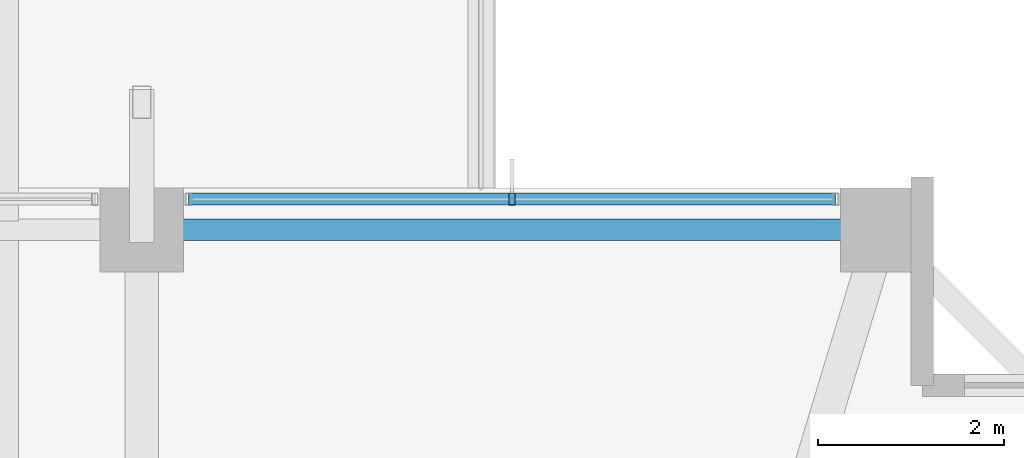
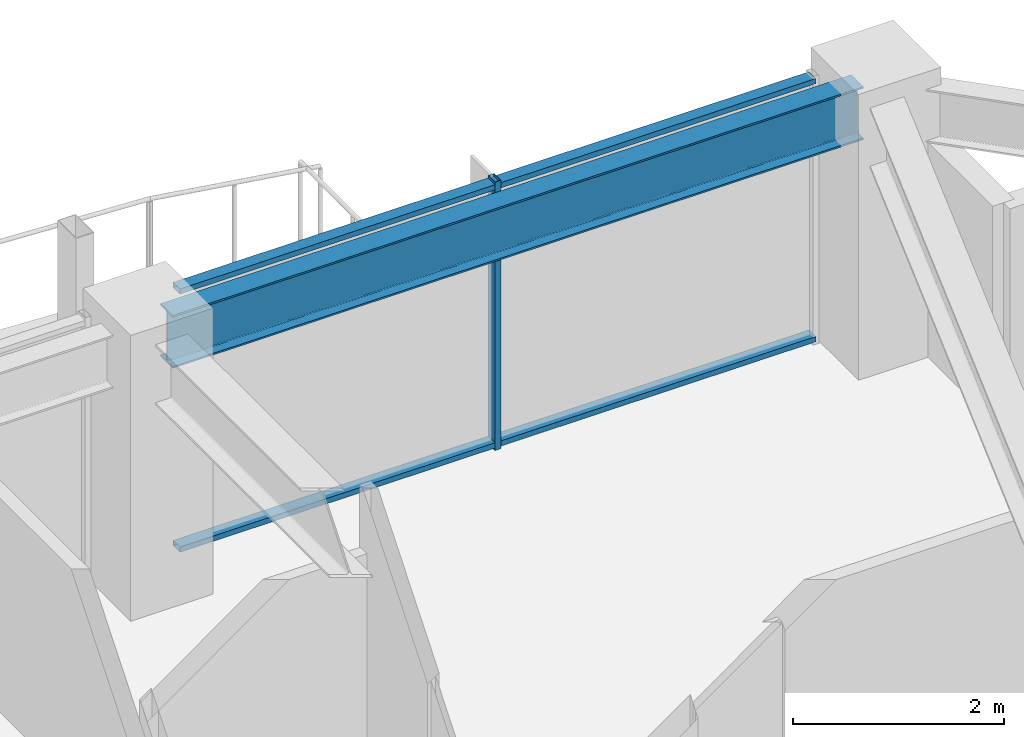
# One storey, part 20 of 34: 3 members, 1 beam, 1 element without a shape of its own.
"""IFC4 building model written with IfcOpenShell, lengths in metres."""

import ifcopenshell
import ifcopenshell.guid

model = None  # the IFC model being written
_history = None  # IfcOwnerHistory: only IFC2X3 demands one
_inside = {}  # id of a spatial element -> (the spatial element, [elements in it])
_under = {}  # id of a project, library or spatial element -> (it, [spatial elements below it])
_declared = {}  # id of a project -> (the project, [libraries it declares])
_typed = {}  # id of a type object -> (the type object, [elements of that type])
_made_of = {}  # id of a material, layer set ... -> (it, [elements and type objects made of it])


def new_model(schema):
    """Start an empty IFC model of exactly this schema.

    Asked for "IFC4X3", IfcOpenShell would pick the latest addendum, in which some entities
    have other attributes; the version numbers below select the first issue.
    IFC2X3 requires an IfcOwnerHistory on every rooted entity: one is made here for all.
    """
    global model, _history
    if schema == "IFC4X3":
        model = ifcopenshell.file(schema_version=(4, 3, 0, 0))
    else:
        model = ifcopenshell.file(schema=schema)
    _inside.clear()
    _under.clear()
    _declared.clear()
    _typed.clear()
    _made_of.clear()
    _history = None
    if model.schema == "IFC2X3":
        org = make("IfcOrganization", Name="unknown")
        user = make(
            "IfcPersonAndOrganization",
            ThePerson=make("IfcPerson", FamilyName="unknown"),
            TheOrganization=org,
        )
        app = make(
            "IfcApplication",
            ApplicationDeveloper=org,
            Version="unknown",
            ApplicationFullName="unknown",
            ApplicationIdentifier="unknown",
        )
        _history = make(
            "IfcOwnerHistory",
            OwningUser=user,
            OwningApplication=app,
            ChangeAction="ADDED",
            CreationDate=0,
        )
    return model


def make(cls, **values):
    """One entity of the class cls with the attributes given. An attribute that is None is left unset."""
    return model.create_entity(
        cls, **{name: value for name, value in values.items() if value is not None}
    )


def rooted(cls, **values):
    """An entity with a GlobalId (a new one), such as an element, a storey or a relation."""
    return make(cls, GlobalId=ifcopenshell.guid.new(), OwnerHistory=_history, **values)


def si_unit(unit_type, name, prefix=None):
    """IfcSIUnit, for example si_unit("LENGTHUNIT", "METRE", prefix="MILLI")."""
    return make("IfcSIUnit", UnitType=unit_type, Prefix=prefix, Name=name)


def assignment(units):
    """IfcUnitAssignment: the units of a project."""
    return None if units is None else make("IfcUnitAssignment", Units=units)


def point(xyz):
    """IfcCartesianPoint."""
    return None if xyz is None else make("IfcCartesianPoint", Coordinates=xyz)


def direction(xyz):
    """IfcDirection."""
    return None if xyz is None else make("IfcDirection", DirectionRatios=xyz)


def frame(location, z_axis=None, x_axis=None):
    """IfcAxis2Placement3D, a coordinate frame: its origin and axes. An axis left out is left unset."""
    return make(
        "IfcAxis2Placement3D",
        Location=point(location),
        Axis=direction(z_axis),
        RefDirection=direction(x_axis),
    )


def frame_2d(location, x_axis=None):
    """IfcAxis2Placement2D, a coordinate frame in the plane: its origin and x axis."""
    return make(
        "IfcAxis2Placement2D", Location=point(location), RefDirection=direction(x_axis)
    )


def origin():
    """The frame at (0, 0, 0) with its axes left unset."""
    return frame((0.0, 0.0, 0.0))


def origin_2d():
    """The frame at (0, 0) in the plane with its x axis left unset."""
    return frame_2d((0.0, 0.0))


def place(relative_to, where):
    """IfcLocalPlacement: puts the frame where relative to a parent placement (None: the world)."""
    return make(
        "IfcLocalPlacement", PlacementRelTo=relative_to, RelativePlacement=where
    )


def context(
    kind, dimensions, precision=None, world=None, true_north=None, identifier=None
):
    """IfcGeometricRepresentationContext, for example the 3D "Model" context."""
    return make(
        "IfcGeometricRepresentationContext",
        ContextIdentifier=identifier,
        ContextType=kind,
        CoordinateSpaceDimension=dimensions,
        Precision=precision,
        WorldCoordinateSystem=world,
        TrueNorth=true_north,
    )


def subcontext(parent, identifier, kind, view, scale=None):
    """IfcGeometricRepresentationSubContext, for example "Body" below "Model"."""
    return make(
        "IfcGeometricRepresentationSubContext",
        ContextIdentifier=identifier,
        ContextType=kind,
        ParentContext=parent,
        TargetScale=scale,
        TargetView=view,
    )


def project(units=None, contexts=None):
    """IfcProject with its units and contexts."""
    return rooted(
        "IfcProject",
        Name="project",
        RepresentationContexts=contexts,
        UnitsInContext=assignment(units),
    )


def spatial(cls, under=None, at=None, **own):
    """A site, building, storey or space (cls), placed at a placement, below another one or the project."""
    s = rooted(cls, ObjectPlacement=at, **own)
    if under is not None:
        _under.setdefault(under.id(), (under, []))[1].append(s)
    return s


def profile(cls, at=None, kind="AREA", **sizes):
    """A parametric profile (cls). Its sizes go by their IFC names, for example OverallWidth=200.0."""
    return make(cls, ProfileType=kind, Position=at, **sizes)


def hollow_rectangle(**sizes):
    """IfcRectangleHollowProfileDef."""
    return profile("IfcRectangleHollowProfileDef", **sizes)


def i_section(**sizes):
    """IfcIShapeProfileDef."""
    return profile("IfcIShapeProfileDef", **sizes)


def extrude(swept, where, along, depth):
    """IfcExtrudedAreaSolid: the profile swept, set in the frame where, extruded along a direction by depth."""
    return make(
        "IfcExtrudedAreaSolid",
        SweptArea=swept,
        Position=where,
        ExtrudedDirection=direction(along),
        Depth=depth,
    )


def shape(context_of_items, identifier, shape_type, items):
    """IfcShapeRepresentation: the items that make up one representation, for example the "Body"."""
    return make(
        "IfcShapeRepresentation",
        ContextOfItems=context_of_items,
        RepresentationIdentifier=identifier,
        RepresentationType=shape_type,
        Items=items,
    )


def material(Name=None, Category=None):
    """IfcMaterial."""
    return make("IfcMaterial", Name=Name, Category=Category)


def material_profile(
    of_material, cross_section, Name=None, Category=None, Priority=None
):
    """IfcMaterialProfile: a cross section and its material."""
    return make(
        "IfcMaterialProfile",
        Name=Name,
        Material=of_material,
        Profile=cross_section,
        Priority=Priority,
        Category=Category,
    )


def profile_set(profiles, Name=None, composite=None):
    """IfcMaterialProfileSet."""
    return make(
        "IfcMaterialProfileSet",
        Name=Name,
        MaterialProfiles=profiles,
        CompositeProfile=composite,
    )


def made_of(thing, what):
    """Note that an element or type object is made of a material, layer set ...; save() writes the relation."""
    if what is not None:
        _made_of.setdefault(what.id(), (what, []))[1].append(thing)
    return thing


def type_object(cls, material=None, **own):
    """A type object (cls), such as IfcWallType, which elements share."""
    return made_of(rooted(cls, **own), material)


def element(
    cls,
    number,
    at=None,
    inside=None,
    cuts=None,
    type_object=None,
    material=None,
    context=None,
    identifier="Body",
    shape_type=None,
    held_by="IfcProductDefinitionShape",
    body=None,
    shapes=None,
    **own,
):
    """One element of the class cls, such as IfcWall. Its Tag is "e" and its number.

    at: its placement. inside: the storey or other place that contains it. cuts: it is an
    opening in that element (IfcRelVoidsElement). A single representation is given by context,
    identifier, shape_type and body (its items); several are given by shapes. held_by: the class
    of the entity that holds the representations. save() writes the other relations.
    """
    e = rooted(cls, Tag="e%d" % number, ObjectPlacement=at, **own)
    if body is not None:
        shapes = [shape(context, identifier, shape_type, body)]
    if shapes is not None:
        e.Representation = make(held_by, Representations=shapes)
    if inside is not None:
        _inside.setdefault(inside.id(), (inside, []))[1].append(e)
    if cuts is not None:
        rooted(
            "IfcRelVoidsElement", RelatingBuildingElement=cuts, RelatedOpeningElement=e
        )
    if type_object is not None:
        _typed.setdefault(type_object.id(), (type_object, []))[1].append(e)
    return made_of(e, material)


def aggregate(whole, parts):
    """IfcRelAggregates: a whole, such as a stair, and the parts it consists of."""
    return rooted("IfcRelAggregates", RelatingObject=whole, RelatedObjects=parts)


def save(model, path):
    """Write the relations noted so far, then the file.

    IfcRelAggregates (storeys below a building ...), IfcRelContainedInSpatialStructure (elements
    in a storey), IfcRelDefinesByType, IfcRelAssociatesMaterial and IfcRelDeclares: one each for
    every whole, place, type object, material and project.
    """
    for whole, parts in _under.values():
        aggregate(whole, parts)
    for where, things in _inside.values():
        rooted(
            "IfcRelContainedInSpatialStructure",
            RelatedElements=things,
            RelatingStructure=where,
        )
    for kind, things in _typed.values():
        rooted("IfcRelDefinesByType", RelatedObjects=things, RelatingType=kind)
    for what, things in _made_of.values():
        rooted("IfcRelAssociatesMaterial", RelatedObjects=things, RelatingMaterial=what)
    for by, libraries in _declared.values():
        rooted("IfcRelDeclares", RelatingContext=by, RelatedDefinitions=libraries)
    model.write(path)


model = new_model("IFC4")

# Units and contexts
model_context = context("Model", 3, precision=1e-05, world=origin(), true_north=direction((0.0, 1.0)))
body_context = subcontext(model_context, "Body", "Model", "MODEL_VIEW")
ifc_project = project(units=[si_unit("LENGTHUNIT", "METRE"), si_unit("AREAUNIT", "SQUARE_METRE"), si_unit("VOLUMEUNIT", "CUBIC_METRE"), si_unit("PLANEANGLEUNIT", "RADIAN"), si_unit("MASSUNIT", "GRAM", prefix="KILO")], contexts=[model_context])

# Site, building, storey
site_placement = place(None, origin())
site = spatial("IfcSite", under=ifc_project, at=site_placement, CompositionType="ELEMENT")
building_placement = place(site_placement, origin())
building = spatial("IfcBuilding", under=site, at=building_placement, Name="Kolvaren Belvedere", CompositionType="ELEMENT")
storey_placement = place(building_placement, frame((0.0, 0.0, 166.800048828125)))
storey = spatial("IfcBuildingStorey", under=building, at=storey_placement, Name="L48", CompositionType="ELEMENT", Elevation=166.800048828125)

# Beam
ifc_material_1 = material(Name="Structural steel ASTM A992 Grade 50", Category="steel")
ifc_material_profile_1 = material_profile(ifc_material_1, i_section(OverallWidth=0.22900390625, OverallDepth=0.612060546875, WebThickness=0.011962890625, FlangeThickness=0.01953125, FilletRadius=0.01806640625, at=origin_2d()), Name="W24X84")
ifc_profile_set_1 = profile_set([ifc_material_profile_1], Name="Structural steel ASTM A992 Grade 50")
beam_type = type_object("IfcBeamType", Name="BM-SPAN-W24X84", PredefinedType="SPANDREL", material=ifc_profile_set_1)
beam_placement = place(storey_placement, frame((12.347412109375, 18.64990234375, 2.7939453125), z_axis=(-1.0, 0.0, 0.0), x_axis=(0.0, -1.0, 0.0)))
element("IfcBeam", 1, at=beam_placement, inside=storey, type_object=beam_type, Name="L48 Perimeter Spandrel N4-N3", PredefinedType="SPANDREL", context=body_context, shape_type="SweptSolid", body=[
    extrude(i_section(OverallWidth=0.22900390625, OverallDepth=0.612060546875, WebThickness=0.011962890625, FlangeThickness=0.01953125, FilletRadius=0.01806640625, at=origin_2d()), origin(), (0.0, 0.0, 1.0), 7.544921875),
])

# Curtain wall, members
ifc_material_2 = material(Name="Anodised pale-metal aluminium AA 6063-T6", Category="aluminium")
curtain_wall_type = type_object("IfcCurtainWallType", Name="CW-Z3-WAIST", PredefinedType="NOTDEFINED", material=ifc_material_2)
curtain_wall_placement = place(storey_placement, origin())
curtain_wall = element("IfcCurtainWall", 2, at=curtain_wall_placement, inside=storey, type_object=curtain_wall_type, Name="L48 Unitised Curtain Wall FCW-L48-N2-B2", PredefinedType="NOTDEFINED")
ifc_material_3 = material(Name="Anodised pale-metal aluminium AA 6063-T6", Category="aluminium")
ifc_material_profile_2 = material_profile(ifc_material_3, hollow_rectangle(XDim=0.06494140625, YDim=0.1298828125, WallThickness=0.00390625, at=origin_2d()), Name="ALU-MUL-130X65")
ifc_profile_set_2 = profile_set([ifc_material_profile_2], Name="Anodised pale-metal aluminium AA 6063-T6")
member_type_1 = type_object("IfcMemberType", Name="CW-MUL-130", PredefinedType="MULLION", material=ifc_profile_set_2)
member_1_placement = place(storey_placement, frame((8.574951171875, 18.97998046875, 0.0), z_axis=(0.0, 0.0, 1.0), x_axis=(1.0, 0.0, 0.0)))
member_1 = element("IfcMember", 3, at=member_1_placement, type_object=member_type_1, Name="FCW-L48-N2-B2 Unitised Mullion 2", PredefinedType="MULLION", context=body_context, shape_type="SweptSolid", body=[
    extrude(hollow_rectangle(XDim=0.06494140625, YDim=0.1298828125, WallThickness=0.00390625, at=origin_2d()), origin(), (0.0, 0.0, 1.0), 3.099853515625),
])
ifc_material_4 = material(Name="Anodised pale-metal aluminium AA 6063-T6", Category="aluminium")
ifc_material_profile_3 = material_profile(ifc_material_4, hollow_rectangle(XDim=0.06005859375, YDim=0.1298828125, WallThickness=0.00390625, at=origin_2d()), Name="ALU-TRN-130X60")
ifc_profile_set_3 = profile_set([ifc_material_profile_3], Name="Anodised pale-metal aluminium AA 6063-T6")
member_type_2 = type_object("IfcMemberType", Name="CW-TRN-130", PredefinedType="USERDEFINED", material=ifc_profile_set_3)
member_2_placement = place(storey_placement, frame((5.1025390625, 18.97998046875, 0.06005859375), z_axis=(1.0, 0.0, 0.0), x_axis=(0.0, 0.0, 1.0)))
member_2 = element("IfcMember", 4, at=member_2_placement, type_object=member_type_2, Name="FCW-L48-N2-B2 Sill Transom", ObjectType="TRANSOM", PredefinedType="USERDEFINED", context=body_context, shape_type="SweptSolid", body=[
    extrude(hollow_rectangle(XDim=0.06005859375, YDim=0.1298828125, WallThickness=0.00390625, at=origin_2d()), origin(), (0.0, 0.0, 1.0), 6.945068359375),
])
member_3_placement = place(storey_placement, frame((5.1025390625, 18.97998046875, 3.0400390625), z_axis=(1.0, 0.0, 0.0), x_axis=(0.0, 0.0, 1.0)))
member_3 = element("IfcMember", 5, at=member_3_placement, type_object=member_type_2, Name="FCW-L48-N2-B2 Head Transom", ObjectType="TRANSOM", PredefinedType="USERDEFINED", context=body_context, shape_type="SweptSolid", body=[
    extrude(hollow_rectangle(XDim=0.06005859375, YDim=0.1298828125, WallThickness=0.00390625, at=origin_2d()), origin(), (0.0, 0.0, 1.0), 6.945068359375),
])
aggregate(curtain_wall, [member_1, member_2, member_3])

save(model, "model.ifc")
